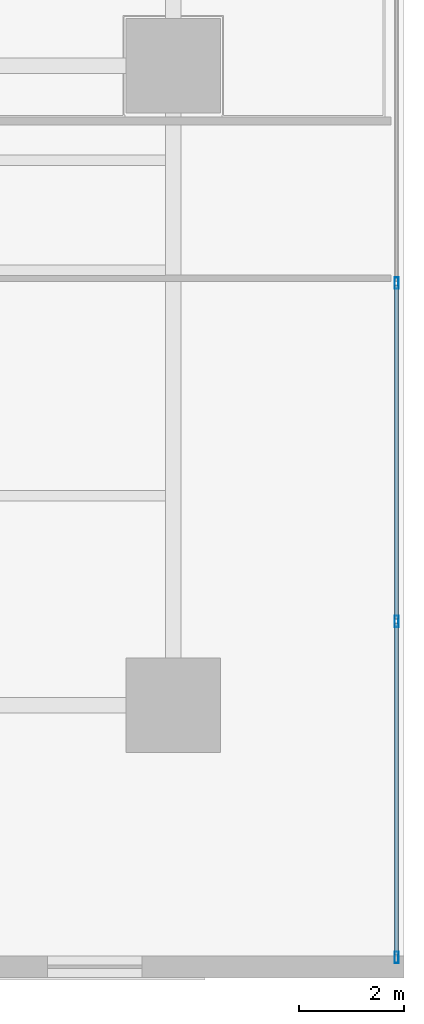
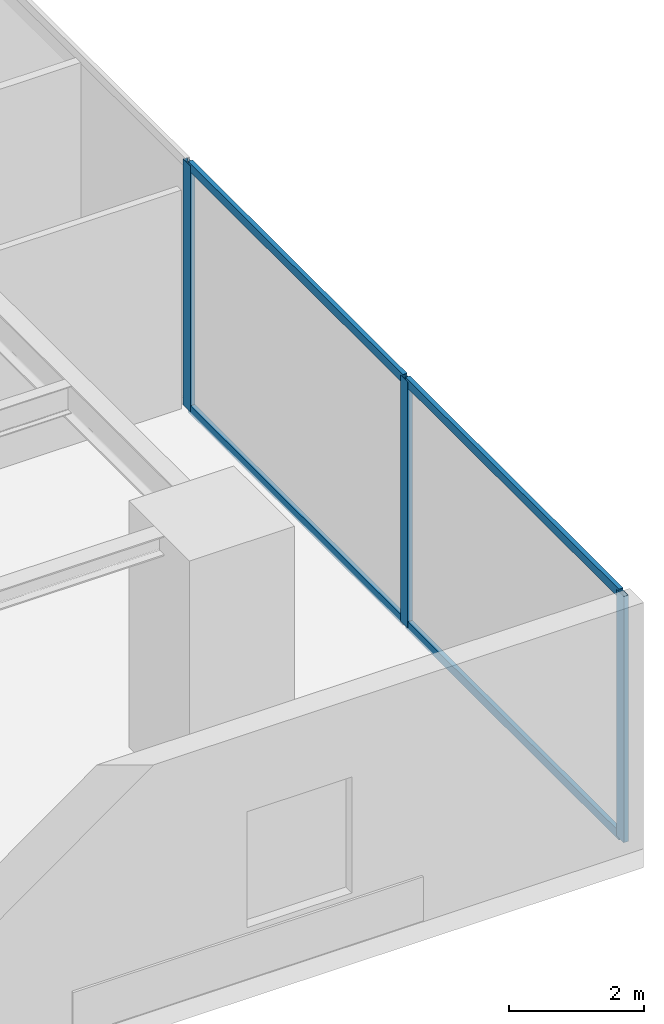
# One storey, part 8 of 16: 7 members, 1 element without a shape of its own.
"""IFC4 building model written with IfcOpenShell, lengths in metres."""

from ifc_helpers import new_model, si_unit, direction, frame, origin, origin_with_axes, origin_2d, place, context, subcontext, project, spatial, hollow_rectangle, extrude, source, transform, mapped, material, layer, layer_set, material_profile, profile_set, type_object, element, aggregate, save


model = new_model("IFC4")

# Units and contexts
model_context = context("Model", 3, precision=1e-05, world=origin(), true_north=direction((0.0, 1.0)))
body_context = subcontext(model_context, "Body", "Model", "MODEL_VIEW")
ifc_project = project(units=[si_unit("LENGTHUNIT", "METRE"), si_unit("AREAUNIT", "SQUARE_METRE"), si_unit("VOLUMEUNIT", "CUBIC_METRE"), si_unit("PLANEANGLEUNIT", "RADIAN"), si_unit("MASSUNIT", "GRAM", prefix="KILO")], contexts=[model_context])

# Site, building, storey
site_placement = place(None, origin())
site = spatial("IfcSite", under=ifc_project, at=site_placement, CompositionType="ELEMENT")
building_placement = place(site_placement, origin())
building = spatial("IfcBuilding", under=site, at=building_placement, Name="Kolvaren Waterfront Exchange", CompositionType="ELEMENT")
storey_placement = place(building_placement, frame((0.0, 0.0, 10.39990234375)))
storey = spatial("IfcBuildingStorey", under=building, at=storey_placement, Name="L03", CompositionType="ELEMENT", Elevation=10.39990234375)

# Curtain wall, members
ifc_material_1 = material(Name="Anodised bronze aluminium 6063-T6", Category="aluminium")
ifc_layer = layer(ifc_material_1, 0.219970703125, Name="Anodised bronze aluminium 6063-T6")
ifc_layer_set = layer_set([ifc_layer], Name="Anodised bronze aluminium 6063-T6")
curtain_wall_type = type_object("IfcCurtainWallType", Name="ARC-CW-SYS4", PredefinedType="USERDEFINED", material=ifc_layer_set)
curtain_wall_placement = place(storey_placement, origin())
curtain_wall = element("IfcCurtainWall", 1, at=curtain_wall_placement, inside=storey, type_object=curtain_wall_type, Name="L03 stick curtain wall CW4 (CW-L03-E1)", ObjectType="STICK CURTAIN WALL", PredefinedType="USERDEFINED")
ifc_material_2 = material(Name="Anodised aluminium 6063-T6", Category="aluminium")
ifc_material_profile_1 = material_profile(ifc_material_2, hollow_rectangle(XDim=0.074951171875, YDim=0.159912109375, WallThickness=0.00439453125, at=origin_2d()), Name="ALU-TRN-160x75x4.5")
ifc_profile_set_1 = profile_set([ifc_material_profile_1], Name="Anodised aluminium 6063-T6")
member_type_1 = type_object("IfcMemberType", Name="ARC-CWT-160", PredefinedType="USERDEFINED", material=ifc_profile_set_1)
shared_shape_1 = source(origin_with_axes(), body_context, "Body", "SweptSolid", [
    extrude(hollow_rectangle(XDim=0.074951171875, YDim=0.159912109375, WallThickness=0.00439453125, at=origin_2d()), origin(), (0.0, 0.0, 1.0), 6.331787109375),
])
member_1_placement = place(storey_placement, frame((64.659912109375, 0.429931640625, 0.03759765625), z_axis=(0.0, 1.0, 0.0), x_axis=(-1.0, 0.0, 0.0)))
member_1 = element("IfcMember", 2, at=member_1_placement, type_object=member_type_1, Name="CW4 transom 1.1", ObjectType="TRANSOM", PredefinedType="USERDEFINED", context=body_context, shape_type="MappedRepresentation", body=[
    mapped(shared_shape_1, transform((0.0, 0.0, 0.0), x_axis=(1.0, 0.0, 0.0), y_axis=(0.0, 1.0, 0.0), z_axis=(0.0, 0.0, 1.0), scale=1.0)),
])
member_2_placement = place(storey_placement, frame((64.659912109375, 0.429931640625, 4.422607421875), z_axis=(0.0, 1.0, 0.0), x_axis=(-1.0, 0.0, 0.0)))
member_2 = element("IfcMember", 3, at=member_2_placement, type_object=member_type_1, Name="CW4 transom 1.2", ObjectType="TRANSOM", PredefinedType="USERDEFINED", context=body_context, shape_type="MappedRepresentation", body=[
    mapped(shared_shape_1, transform((0.0, 0.0, 0.0), x_axis=(1.0, 0.0, 0.0), y_axis=(0.0, 1.0, 0.0), z_axis=(0.0, 0.0, 1.0), scale=1.0)),
])
shared_shape_2 = source(origin_with_axes(), body_context, "Body", "SweptSolid", [
    extrude(hollow_rectangle(XDim=0.074951171875, YDim=0.159912109375, WallThickness=0.00439453125, at=origin_2d()), origin(), (0.0, 0.0, 1.0), 6.371826171875),
])
member_3_placement = place(storey_placement, frame((64.659912109375, 6.841552734375, 0.03759765625), z_axis=(0.0, 1.0, 0.0), x_axis=(-1.0, 0.0, 0.0)))
member_3 = element("IfcMember", 4, at=member_3_placement, type_object=member_type_1, Name="CW4 transom 2.1", ObjectType="TRANSOM", PredefinedType="USERDEFINED", context=body_context, shape_type="MappedRepresentation", body=[
    mapped(shared_shape_2, transform((0.0, 0.0, 0.0), x_axis=(1.0, 0.0, 0.0), y_axis=(0.0, 1.0, 0.0), z_axis=(0.0, 0.0, 1.0), scale=1.0)),
])
member_4_placement = place(storey_placement, frame((64.659912109375, 6.841552734375, 4.422607421875), z_axis=(0.0, 1.0, 0.0), x_axis=(-1.0, 0.0, 0.0)))
member_4 = element("IfcMember", 5, at=member_4_placement, type_object=member_type_1, Name="CW4 transom 2.2", ObjectType="TRANSOM", PredefinedType="USERDEFINED", context=body_context, shape_type="MappedRepresentation", body=[
    mapped(shared_shape_2, transform((0.0, 0.0, 0.0), x_axis=(1.0, 0.0, 0.0), y_axis=(0.0, 1.0, 0.0), z_axis=(0.0, 0.0, 1.0), scale=1.0)),
])
ifc_material_profile_2 = material_profile(ifc_material_2, hollow_rectangle(XDim=0.080078125, YDim=0.219970703125, WallThickness=0.0048828125, at=origin_2d()), Name="ALU-MUL-220x80x5")
ifc_profile_set_2 = profile_set([ifc_material_profile_2], Name="Anodised aluminium 6063-T6")
member_type_2 = type_object("IfcMemberType", Name="ARC-CWM-220", PredefinedType="MULLION", material=ifc_profile_set_2)
shared_shape_3 = source(origin_with_axes(), body_context, "Body", "SweptSolid", [
    extrude(hollow_rectangle(XDim=0.080078125, YDim=0.219970703125, WallThickness=0.0048828125, at=origin_2d()), origin(), (0.0, 0.0, 1.0), 4.460205078125),
])
member_5_placement = place(storey_placement, frame((64.659912109375, 0.389892578125, 0.0), z_axis=(0.0, 0.0, 1.0), x_axis=(-1.0, 0.0, 0.0)))
member_5 = element("IfcMember", 6, at=member_5_placement, type_object=member_type_2, Name="CW4 mullion 1", PredefinedType="MULLION", context=body_context, shape_type="MappedRepresentation", body=[
    mapped(shared_shape_3, transform((0.0, 0.0, 0.0), x_axis=(1.0, 0.0, 0.0), y_axis=(0.0, 1.0, 0.0), z_axis=(0.0, 0.0, 1.0), scale=1.0)),
])
member_6_placement = place(storey_placement, frame((64.659912109375, 6.8017578125, 0.0), z_axis=(0.0, 0.0, 1.0), x_axis=(-1.0, 0.0, 0.0)))
member_6 = element("IfcMember", 7, at=member_6_placement, type_object=member_type_2, Name="CW4 mullion 2", PredefinedType="MULLION", context=body_context, shape_type="MappedRepresentation", body=[
    mapped(shared_shape_3, transform((0.0, 0.0, 0.0), x_axis=(1.0, 0.0, 0.0), y_axis=(0.0, 1.0, 0.0), z_axis=(0.0, 0.0, 1.0), scale=1.0)),
])
member_7_placement = place(storey_placement, frame((64.659912109375, 13.25341796875, 0.0), z_axis=(0.0, 0.0, 1.0), x_axis=(-1.0, 0.0, 0.0)))
member_7 = element("IfcMember", 8, at=member_7_placement, type_object=member_type_2, Name="CW4 mullion 3", PredefinedType="MULLION", context=body_context, shape_type="MappedRepresentation", body=[
    mapped(shared_shape_3, transform((0.0, 0.0, 0.0), x_axis=(1.0, 0.0, 0.0), y_axis=(0.0, 1.0, 0.0), z_axis=(0.0, 0.0, 1.0), scale=1.0)),
])
aggregate(curtain_wall, [member_5, member_6, member_7, member_1, member_2, member_3, member_4])

save(model, "model.ifc")
